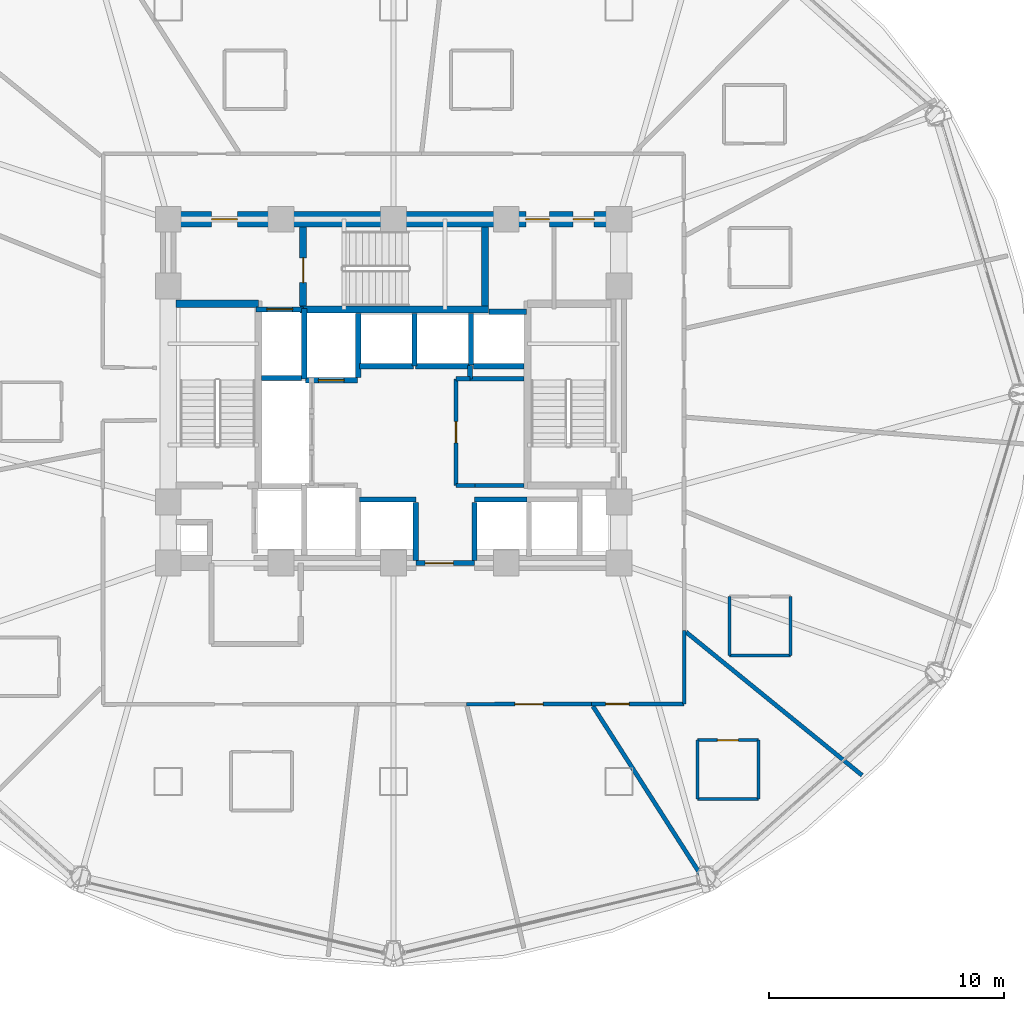
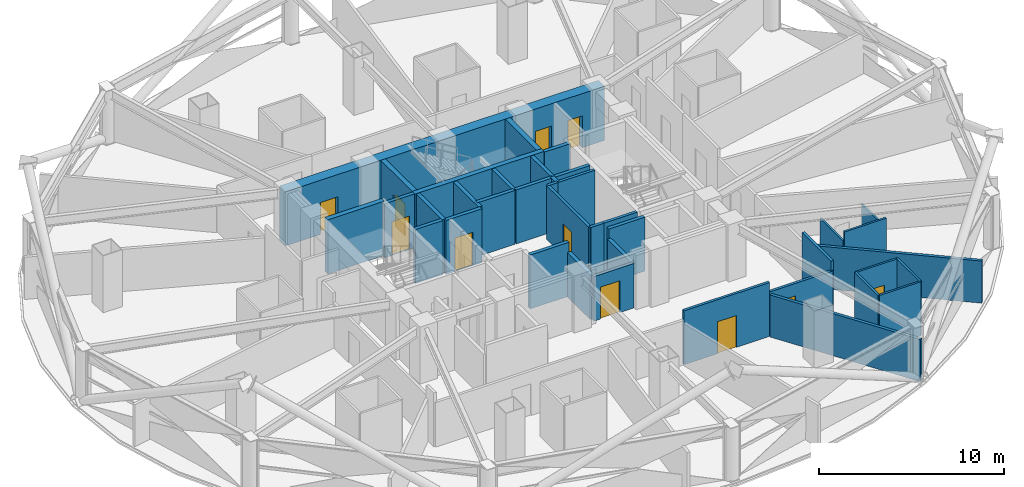
# One storey, part 25 of 31: 39 walls, 11 doors, 11 openings.
"""IFC4 building model written with IfcOpenShell, lengths in metres."""

from ifc_helpers import new_model, si_unit, direction, frame, frame_2d, origin, place, context, subcontext, project, spatial, rectangle, extrude, material, layer, layer_set, type_object, element, fill, save


model = new_model("IFC4")

# Units and contexts
model_context = context("Model", 3, precision=1e-05, world=origin(), true_north=direction((0.0, 1.0)))
body_context = subcontext(model_context, "Body", "Model", "MODEL_VIEW")
ifc_project = project(units=[si_unit("LENGTHUNIT", "METRE"), si_unit("AREAUNIT", "SQUARE_METRE"), si_unit("VOLUMEUNIT", "CUBIC_METRE"), si_unit("PLANEANGLEUNIT", "RADIAN"), si_unit("MASSUNIT", "GRAM", prefix="KILO")], contexts=[model_context])

# Site, building, storey
site_placement = place(None, origin())
site = spatial("IfcSite", under=ifc_project, at=site_placement, CompositionType="ELEMENT")
building_placement = place(site_placement, origin())
building = spatial("IfcBuilding", under=site, at=building_placement, Name="Vantalir Tower", CompositionType="ELEMENT")
storey_placement = place(building_placement, frame((0.0, 0.0, 42.0)))
storey = spatial("IfcBuildingStorey", under=building, at=storey_placement, Name="L09", CompositionType="ELEMENT", Elevation=42.0)

# Wall
ifc_material_1 = material(Name="Moisture-resistant en-suite partition", Category="gypsum")
ifc_layer_1 = layer(ifc_material_1, 0.125)
ifc_layer_set_1 = layer_set([ifc_layer_1], Name="Moisture-resistant en-suite partition")
wall_type_1 = type_object("IfcWallType", Name="WL-BATH-125", PredefinedType="PARTITIONING", material=ifc_layer_set_1)
wall_1_placement = place(storey_placement, frame((44.446044921875, 7.7548828125, 0.0), z_axis=(0.0, 0.0, 1.0), x_axis=(1.0, 0.0, 0.0)))
element("IfcWall", 1, at=wall_1_placement, inside=storey, type_object=wall_type_1, Name="L09 En-suite 12 South Wall", PredefinedType="PARTITIONING", context=body_context, shape_type="SweptSolid", body=[
    extrude(rectangle(XDim=2.599853515625, YDim=0.125, at=frame_2d((1.2998046875, 0.0))), origin(), (0.0, 0.0, 1.0), 3.550048828125),
])

# Wall, opening, door
wall_2_placement = place(storey_placement, frame((44.446044921875, 10.2548828125, 0.0), z_axis=(0.0, 0.0, 1.0), x_axis=(1.0, 0.0, 0.0)))
wall_2 = element("IfcWall", 2, at=wall_2_placement, inside=storey, type_object=wall_type_1, Name="L09 En-suite 12 North Wall", PredefinedType="PARTITIONING", context=body_context, shape_type="SweptSolid", body=[
    extrude(rectangle(XDim=2.599853515625, YDim=0.125, at=frame_2d((1.2998046875, 0.0))), origin(), (0.0, 0.0, 1.0), 3.550048828125),
])
opening_1_placement = place(wall_2_placement, frame((0.85009765625, 0.0, 0.0)))
opening_1 = element("IfcOpeningElement", 3, at=opening_1_placement, cuts=wall_2, Name="Opening D-WC", PredefinedType="OPENING", context=body_context, shape_type="SweptSolid", body=[
    extrude(rectangle(XDim=0.89990234375, YDim=2.10009765625, at=frame_2d((0.449951171875, 1.050048828125))), frame((0.0, 0.072509765625, 0.0), z_axis=(0.0, -1.0, 0.0), x_axis=(1.0, 0.0, 0.0)), (0.0, 0.0, 1.0), 0.14501953125),
])
ifc_material_2 = material(Name="Moisture-resistant hardwood door", Category="wood")
door_type_1 = type_object("IfcDoorType", Name="DR-ENSUITE-900", OperationType="NOTDEFINED", PredefinedType="DOOR", material=ifc_material_2)
door_1_placement = place(opening_1_placement, frame((0.89990234375, 0.0, 0.0), z_axis=(0.0, 0.0, 1.0), x_axis=(-1.0, 0.0, 0.0)))
door_1 = element("IfcDoor", 4, at=door_1_placement, inside=storey, type_object=door_type_1, Name="L09 En-suite 12 Door", OperationType="SINGLE_SWING_RIGHT", OverallHeight=2.10009765625, OverallWidth=0.89990234375, PredefinedType="DOOR", context=body_context, shape_type="SweptSolid", body=[
    extrude(rectangle(XDim=0.89990234375, YDim=2.10009765625, at=frame_2d((0.449951171875, 1.050048828125))), frame((0.0, 0.02490234375, 0.0), z_axis=(0.0, -1.0, 0.0), x_axis=(1.0, 0.0, 0.0)), (0.0, 0.0, 1.0), 0.050048828125),
])
fill(opening_1, door_1)

# Walls
for number, where, z_axis, x_axis, name in (
    (5, (44.446044921875, 7.7548828125, 0.0), (0.0, 0.0, 1.0), (0.0, 1.0, 0.0), "L09 En-suite 12 West Wall"),
    (6, (47.0458984375, 7.7548828125, 0.0), (0.0, 0.0, 1.0), (0.0, 1.0, 0.0), "L09 En-suite 12 East Wall"),
):
    element("IfcWall", number, at=place(storey_placement, frame(where, z_axis=z_axis, x_axis=x_axis)), inside=storey, type_object=wall_type_1, Name=name, PredefinedType="PARTITIONING", context=body_context, shape_type="SweptSolid", body=[
        extrude(rectangle(XDim=2.5, YDim=0.125, at=frame_2d((1.25, 0.0))), origin(), (0.0, 0.0, 1.0), 3.550048828125),
    ])
wall_3_placement = place(storey_placement, frame((45.805908203125, 13.867919921875, 0.0), z_axis=(0.0, 0.0, 1.0), x_axis=(1.0, 0.0, 0.0)))
element("IfcWall", 7, at=wall_3_placement, inside=storey, type_object=wall_type_1, Name="L09 En-suite 13 South Wall", PredefinedType="PARTITIONING", context=body_context, shape_type="SweptSolid", body=[
    extrude(rectangle(XDim=2.60009765625, YDim=0.125, at=frame_2d((1.300048828125, 0.0))), origin(), (0.0, 0.0, 1.0), 3.550048828125),
])
for number, where, z_axis, x_axis, name in (
    (8, (45.805908203125, 13.867919921875, 0.0), (0.0, 0.0, 1.0), (0.0, 1.0, 0.0), "L09 En-suite 13 West Wall"),
    (9, (48.406005859375, 13.867919921875, 0.0), (0.0, 0.0, 1.0), (0.0, 1.0, 0.0), "L09 En-suite 13 East Wall"),
):
    element("IfcWall", number, at=place(storey_placement, frame(where, z_axis=z_axis, x_axis=x_axis)), inside=storey, type_object=wall_type_1, Name=name, PredefinedType="PARTITIONING", context=body_context, shape_type="SweptSolid", body=[
        extrude(rectangle(XDim=2.5, YDim=0.125, at=frame_2d((1.25, 0.0))), origin(), (0.0, 0.0, 1.0), 2.927978515625),
    ])

# Wall, openings, doors
ifc_material_3 = material(Name="Concrete C60/75", Category="concrete")
ifc_layer_2 = layer(ifc_material_3, 0.64990234375)
ifc_layer_set_2 = layer_set([ifc_layer_2], Name="Concrete C60/75")
wall_type_2 = type_object("IfcWallType", Name="WL-CORE-650", PredefinedType="SHEAR", material=ifc_layer_set_2)
wall_4_placement = place(storey_placement, frame((21.574951171875, 32.449951171875, 0.0), z_axis=(0.0, 0.0, 1.0), x_axis=(1.0, 0.0, 0.0)))
wall_4 = element("IfcWall", 10, at=wall_4_placement, inside=storey, type_object=wall_type_2, Name="L09 Core Shear Wall North", PredefinedType="SHEAR", context=body_context, shape_type="SweptSolid", body=[
    extrude(rectangle(XDim=19.85009765625, YDim=0.64990234375, at=frame_2d((9.925048828125, 0.0))), origin(), (0.0, 0.0, 1.0), 3.570068359375),
])
opening_2_placement = place(wall_4_placement, frame((2.175048828125, 0.0, 0.0)))
opening_2 = element("IfcOpeningElement", 11, at=opening_2_placement, cuts=wall_4, Name="Opening D-FFL", PredefinedType="OPENING", context=body_context, shape_type="SweptSolid", body=[
    extrude(rectangle(XDim=1.10009765625, YDim=2.10009765625, at=frame_2d((0.550048828125, 1.050048828125))), frame((0.0, 0.3349609375, 0.0), z_axis=(0.0, -1.0, 0.0), x_axis=(1.0, 0.0, 0.0)), (0.0, 0.0, 1.0), 0.669921875),
])
opening_3_placement = place(wall_4_placement, frame((15.56494140625, 0.0, 0.0)))
opening_3 = element("IfcOpeningElement", 12, at=opening_3_placement, cuts=wall_4, Name="Opening D-GUEST", PredefinedType="OPENING", context=body_context, shape_type="SweptSolid", body=[
    extrude(rectangle(XDim=1.0, YDim=2.10009765625, at=frame_2d((0.5, 1.050048828125))), frame((0.0, 0.3349609375, 0.0), z_axis=(0.0, -1.0, 0.0), x_axis=(1.0, 0.0, 0.0)), (0.0, 0.0, 1.0), 0.669921875),
])
opening_4_placement = place(wall_4_placement, frame((17.574951171875, 0.0, 0.0)))
opening_4 = element("IfcOpeningElement", 13, at=opening_4_placement, cuts=wall_4, Name="Opening D-CR", PredefinedType="OPENING", context=body_context, shape_type="SweptSolid", body=[
    extrude(rectangle(XDim=0.89990234375, YDim=2.10009765625, at=frame_2d((0.449951171875, 1.050048828125))), frame((0.0, 0.3349609375, 0.0), z_axis=(0.0, -1.0, 0.0), x_axis=(1.0, 0.0, 0.0)), (0.0, 0.0, 1.0), 0.669921875),
])
ifc_material_4 = material(Name="Fire-rated steel core service door", Category="steel")
door_type_2 = type_object("IfcDoorType", Name="DR-CORE-SERV-900", OperationType="NOTDEFINED", PredefinedType="DOOR", material=ifc_material_4)
door_2_placement = place(opening_4_placement, frame((0.89990234375, 0.0, 0.0), z_axis=(0.0, 0.0, 1.0), x_axis=(-1.0, 0.0, 0.0)))
door_2 = element("IfcDoor", 14, at=door_2_placement, inside=storey, type_object=door_type_2, Name="L09 Housekeeping and Linen Room Door", OperationType="SINGLE_SWING_RIGHT", OverallHeight=2.10009765625, OverallWidth=0.89990234375, PredefinedType="DOOR", context=body_context, shape_type="SweptSolid", body=[
    extrude(rectangle(XDim=0.89990234375, YDim=2.10009765625, at=frame_2d((0.449951171875, 1.050048828125))), frame((0.0, 0.02490234375, 0.0), z_axis=(0.0, -1.0, 0.0), x_axis=(1.0, 0.0, 0.0)), (0.0, 0.0, 1.0), 0.050048828125),
])
fill(opening_4, door_2)
ifc_material_5 = material(Name="Fire-rated acoustic steel door", Category="steel")
door_type_3 = type_object("IfcDoorType", Name="DR-FIRE-LOBBY-1100", OperationType="NOTDEFINED", PredefinedType="DOOR", material=ifc_material_5)
door_3_placement = place(opening_2_placement, frame((1.10009765625, 0.0, 0.0), z_axis=(0.0, 0.0, 1.0), x_axis=(-1.0, 0.0, 0.0)))
door_3 = element("IfcDoor", 15, at=door_3_placement, inside=storey, type_object=door_type_3, Name="L09 Firefighting Lobby East Access Door", OperationType="SINGLE_SWING_LEFT", OverallHeight=2.10009765625, OverallWidth=1.10009765625, PredefinedType="DOOR", context=body_context, shape_type="SweptSolid", body=[
    extrude(rectangle(XDim=1.10009765625, YDim=2.10009765625, at=frame_2d((0.550048828125, 1.050048828125))), frame((0.0, 0.02490234375, 0.0), z_axis=(0.0, -1.0, 0.0), x_axis=(1.0, 0.0, 0.0)), (0.0, 0.0, 1.0), 0.050048828125),
])
fill(opening_2, door_3)
ifc_material_6 = material(Name="Solid-core teak veneer acoustic fire door", Category="wood")
door_type_4 = type_object("IfcDoorType", Name="DR-GUEST-ENTRY-1000", OperationType="NOTDEFINED", PredefinedType="DOOR", material=ifc_material_6)
door_4_placement = place(opening_3_placement, frame((1.0, 0.0, 0.0), z_axis=(0.0, 0.0, 1.0), x_axis=(-1.0, 0.0, 0.0)))
door_4 = element("IfcDoor", 16, at=door_4_placement, inside=storey, type_object=door_type_4, Name="L09 High-Rise Lift Lobby Door", OperationType="SINGLE_SWING_LEFT", OverallHeight=2.10009765625, OverallWidth=1.0, PredefinedType="DOOR", context=body_context, shape_type="SweptSolid", body=[
    extrude(rectangle(XDim=1.0, YDim=2.10009765625, at=frame_2d((0.5, 1.050048828125))), frame((0.0, 0.02490234375, 0.0), z_axis=(0.0, -1.0, 0.0), x_axis=(1.0, 0.0, 0.0)), (0.0, 0.0, 1.0), 0.050048828125),
])
fill(opening_3, door_4)

# Wall
ifc_material_7 = material(Name="Fire-rated hotel corridor acoustic partition", Category="gypsum")
ifc_layer_3 = layer(ifc_material_7, 0.159912109375)
ifc_layer_set_3 = layer_set([ifc_layer_3], Name="Fire-rated hotel corridor acoustic partition")
wall_type_3 = type_object("IfcWallType", Name="WL-CORR-160", PredefinedType="PARTITIONING", material=ifc_layer_set_3)
wall_5_placement = place(storey_placement, frame((43.883056640625, 14.926025390625, 0.0), z_axis=(0.0, 0.0, 1.0), x_axis=(0.000623976167, -0.999999805327, 0.0)))
element("IfcWall", 17, at=wall_5_placement, inside=storey, type_object=wall_type_3, Name="L09 Corridor Partition 13", PredefinedType="PARTITIONING", context=body_context, shape_type="SweptSolid", body=[
    extrude(rectangle(XDim=3.130126953125, YDim=0.159912109375, at=frame_2d((1.56494140625, 0.0))), origin(), (0.0, 0.0, 1.0), 3.550048828125),
])

# Wall, opening, door
wall_6_placement = place(storey_placement, frame((43.885009765625, 11.7958984375, 0.0), z_axis=(0.0, 0.0, 1.0), x_axis=(-0.999999877509, -0.000494957559, 0.0)))
wall_6 = element("IfcWall", 18, at=wall_6_placement, inside=storey, type_object=wall_type_3, Name="L09 Corridor Partition 14", PredefinedType="PARTITIONING", context=body_context, shape_type="SweptSolid", body=[
    extrude(rectangle(XDim=3.946044921875, YDim=0.159912109375, at=frame_2d((1.97314453125, 0.0))), origin(), (0.0, 0.0, 1.0), 2.927978515625),
])
opening_5_placement = place(wall_6_placement, frame((2.347900390625, 0.0, 0.0)))
opening_5 = element("IfcOpeningElement", 19, at=opening_5_placement, cuts=wall_6, Name="Opening D-GUEST", PredefinedType="OPENING", context=body_context, shape_type="SweptSolid", body=[
    extrude(rectangle(XDim=1.0, YDim=2.10009765625, at=frame_2d((0.5, 1.050048828125))), frame((0.0, 0.08984375, 0.0), z_axis=(0.0, -1.0, 0.0), x_axis=(1.0, 0.0, 0.0)), (0.0, 0.0, 1.0), 0.179931640625),
])
door_5_placement = place(opening_5_placement, origin())
door_5 = element("IfcDoor", 20, at=door_5_placement, inside=storey, type_object=door_type_4, Name="L09 Twin Queen Hotel Room 12 Door", OperationType="SINGLE_SWING_RIGHT", OverallHeight=2.10009765625, OverallWidth=1.0, PredefinedType="DOOR", context=body_context, shape_type="SweptSolid", body=[
    extrude(rectangle(XDim=1.0, YDim=2.10009765625, at=frame_2d((0.5, 1.050048828125))), frame((0.0, 0.02490234375, 0.0), z_axis=(0.0, -1.0, 0.0), x_axis=(1.0, 0.0, 0.0)), (0.0, 0.0, 1.0), 0.050048828125),
])
fill(opening_5, door_5)

wall_7_placement = place(storey_placement, frame((39.93896484375, 11.7939453125, 0.0), z_axis=(0.0, 0.0, 1.0), x_axis=(-0.99999973155, -0.000732734736, 0.0)))
wall_7 = element("IfcWall", 21, at=wall_7_placement, inside=storey, type_object=wall_type_3, Name="L09 Corridor Partition 15", PredefinedType="PARTITIONING", context=body_context, shape_type="SweptSolid", body=[
    extrude(rectangle(XDim=5.3310546875, YDim=0.159912109375, at=frame_2d((2.66552734375, 0.0))), origin(), (0.0, 0.0, 1.0), 3.550048828125),
])
opening_6_placement = place(wall_7_placement, frame((2.06591796875, 0.0, 0.0)))
opening_6 = element("IfcOpeningElement", 22, at=opening_6_placement, cuts=wall_7, Name="Opening D-STE", PredefinedType="OPENING", context=body_context, shape_type="SweptSolid", body=[
    extrude(rectangle(XDim=1.199951171875, YDim=2.10009765625, at=frame_2d((0.60009765625, 1.050048828125))), frame((0.0, 0.08984375, 0.0), z_axis=(0.0, -1.0, 0.0), x_axis=(1.0, 0.0, 0.0)), (0.0, 0.0, 1.0), 0.179931640625),
])
ifc_material_8 = material(Name="Solid-core teak veneer suite entrance door", Category="wood")
door_type_5 = type_object("IfcDoorType", Name="DR-SUITE-ENTRY-1200", OperationType="NOTDEFINED", PredefinedType="DOOR", material=ifc_material_8)
door_6_placement = place(opening_6_placement, origin())
door_6 = element("IfcDoor", 23, at=door_6_placement, inside=storey, type_object=door_type_5, Name="L09 Executive Sky Boardroom 11 Door", OperationType="SINGLE_SWING_LEFT", OverallHeight=2.10009765625, OverallWidth=1.199951171875, PredefinedType="DOOR", context=body_context, shape_type="SweptSolid", body=[
    extrude(rectangle(XDim=1.199951171875, YDim=2.10009765625, at=frame_2d((0.60009765625, 1.050048828125))), frame((0.0, 0.02490234375, 0.0), z_axis=(0.0, -1.0, 0.0), x_axis=(1.0, 0.0, 0.0)), (0.0, 0.0, 1.0), 0.050048828125),
])
fill(opening_6, door_6)

# Walls
ifc_material_9 = material(Name="Concrete blockwork with fireboard lining", Category="masonry")
ifc_layer_4 = layer(ifc_material_9, 0.219970703125)
ifc_layer_set_4 = layer_set([ifc_layer_4], Name="Concrete blockwork with fireboard lining")
wall_type_4 = type_object("IfcWallType", Name="WL-FFL-220", PredefinedType="PARTITIONING", material=ifc_layer_set_4)
for number, where, z_axis, x_axis, name in (
    (24, (32.449951171875, 17.919921875, 0.0), (0.0, 0.0, 1.0), (0.0, 1.0, 0.0), "L09 Shuttle Lift PL-X1 East Shaft Cheek"),
    (25, (34.949951171875, 17.919921875, 0.0), (0.0, 0.0, 1.0), (0.0, 1.0, 0.0), "L09 Shuttle Lift PL-X3 West Shaft Cheek"),
):
    element("IfcWall", number, at=place(storey_placement, frame(where, z_axis=z_axis, x_axis=x_axis)), inside=storey, type_object=wall_type_4, Name=name, PredefinedType="PARTITIONING", context=body_context, shape_type="SweptSolid", body=[
        extrude(rectangle(XDim=2.469970703125, YDim=0.219970703125, at=frame_2d((1.23486328125, 0.0))), origin(), (0.0, 0.0, 1.0), 2.927978515625),
    ])
wall_8_placement = place(storey_placement, frame((30.0, 25.7099609375, 0.0), z_axis=(0.0, 0.0, 1.0), x_axis=(0.0, 1.0, 0.0)))
element("IfcWall", 26, at=wall_8_placement, inside=storey, type_object=wall_type_4, Name="L09 Service Lift SV2 East Shaft Wall", PredefinedType="PARTITIONING", context=body_context, shape_type="SweptSolid", body=[
    extrude(rectangle(XDim=2.72998046875, YDim=0.219970703125, at=frame_2d((1.364990234375, 0.0))), origin(), (0.0, 0.0, 1.0), 3.544921875),
])
wall_9_placement = place(storey_placement, frame((32.39990234375, 26.199951171875, 0.0), z_axis=(0.0, 0.0, 1.0), x_axis=(0.0, 1.0, 0.0)))
element("IfcWall", 27, at=wall_9_placement, inside=storey, type_object=wall_type_4, Name="L09 High-Rise Lift PL-H1/H2 Shaft Divider", PredefinedType="PARTITIONING", context=body_context, shape_type="SweptSolid", body=[
    extrude(rectangle(XDim=2.239990234375, YDim=0.219970703125, at=frame_2d((1.1201171875, 0.0))), origin(), (0.0, 0.0, 1.0), 3.544921875),
])
wall_10_placement = place(storey_placement, frame((34.800048828125, 26.22998046875, 0.0), z_axis=(0.0, 0.0, 1.0), x_axis=(0.0, 1.0, 0.0)))
element("IfcWall", 28, at=wall_10_placement, inside=storey, type_object=wall_type_4, Name="L09 High-Rise Lift PL-H2/H3 Shaft Divider", PredefinedType="PARTITIONING", context=body_context, shape_type="SweptSolid", body=[
    extrude(rectangle(XDim=2.2099609375, YDim=0.219970703125, at=frame_2d((1.10498046875, 0.0))), origin(), (0.0, 0.0, 1.0), 3.544921875),
])
wall_11_placement = place(storey_placement, frame((34.909912109375, 26.18994140625, 0.0), z_axis=(0.0, 0.0, 1.0), x_axis=(1.0, 0.0, 0.0)))
element("IfcWall", 29, at=wall_11_placement, inside=storey, type_object=wall_type_4, Name="L09 High-Rise Lift PL-H3 Rear Shaft Wall", PredefinedType="PARTITIONING", context=body_context, shape_type="SweptSolid", body=[
    extrude(rectangle(XDim=2.14013671875, YDim=0.219970703125, at=frame_2d((1.070068359375, 0.0))), origin(), (0.0, 0.0, 1.0), 3.544921875),
])

# Wall, opening, door
wall_12_placement = place(storey_placement, frame((32.449951171875, 17.800048828125, 0.0), z_axis=(0.0, 0.0, 1.0), x_axis=(1.0, 0.0, 0.0)))
wall_12 = element("IfcWall", 30, at=wall_12_placement, inside=storey, type_object=wall_type_4, Name="L09 Passenger Lift Lobby South Wall", PredefinedType="PARTITIONING", context=body_context, shape_type="SweptSolid", body=[
    extrude(rectangle(XDim=2.5, YDim=0.219970703125, at=frame_2d((1.25, 0.0))), origin(), (0.0, 0.0, 1.0), 2.927978515625),
])
opening_7_placement = place(wall_12_placement, frame((0.39990234375, 0.0, 0.0)))
opening_7 = element("IfcOpeningElement", 31, at=opening_7_placement, cuts=wall_12, Name="Opening D-STE", PredefinedType="OPENING", context=body_context, shape_type="SweptSolid", body=[
    extrude(rectangle(XDim=1.199951171875, YDim=2.10009765625, at=frame_2d((0.60009765625, 1.050048828125))), frame((0.0, 0.119873046875, 0.0), z_axis=(0.0, -1.0, 0.0), x_axis=(1.0, 0.0, 0.0)), (0.0, 0.0, 1.0), 0.239990234375),
])
door_7_placement = place(opening_7_placement, origin())
door_7 = element("IfcDoor", 32, at=door_7_placement, inside=storey, type_object=door_type_5, Name="L09 Passenger Lift Lobby Concourse Door", OperationType="SINGLE_SWING_RIGHT", OverallHeight=2.10009765625, OverallWidth=1.199951171875, PredefinedType="DOOR", context=body_context, shape_type="SweptSolid", body=[
    extrude(rectangle(XDim=1.199951171875, YDim=2.10009765625, at=frame_2d((0.60009765625, 1.050048828125))), frame((0.0, 0.02490234375, 0.0), z_axis=(0.0, -1.0, 0.0), x_axis=(1.0, 0.0, 0.0)), (0.0, 0.0, 1.0), 0.050048828125),
])
fill(opening_7, door_7)

wall_13_placement = place(storey_placement, frame((25.639892578125, 28.610107421875, 0.0), z_axis=(0.0, 0.0, 1.0), x_axis=(1.0, 0.0, 0.0)))
wall_13 = element("IfcWall", 33, at=wall_13_placement, inside=storey, type_object=wall_type_4, Name="L09 Lift FL2 Shaft Front Wall", PredefinedType="PARTITIONING", context=body_context, shape_type="SweptSolid", body=[
    extrude(rectangle(XDim=2.02001953125, YDim=0.219970703125, at=frame_2d((1.010009765625, 0.0))), origin(), (0.0, 0.0, 1.0), 3.550048828125),
])
opening_8_placement = place(wall_13_placement, frame((0.4599609375, 0.0, 0.0)))
opening_8 = element("IfcOpeningElement", 34, at=opening_8_placement, cuts=wall_13, Name="Opening LD-FL2", PredefinedType="OPENING", context=body_context, shape_type="SweptSolid", body=[
    extrude(rectangle(XDim=1.10009765625, YDim=2.199951171875, at=frame_2d((0.550048828125, 1.10009765625))), frame((0.0, 0.119873046875, 0.0), z_axis=(0.0, -1.0, 0.0), x_axis=(1.0, 0.0, 0.0)), (0.0, 0.0, 1.0), 0.239990234375),
])
ifc_material_10 = material(Name="Brushed stainless-steel sliding lift landing door", Category="steel")
door_type_6 = type_object("IfcDoorType", Name="DR-LIFT-LANDING-1100", OperationType="DOUBLE_DOOR_SLIDING", PredefinedType="DOOR", material=ifc_material_10)
door_8_placement = place(opening_8_placement, origin())
door_8 = element("IfcDoor", 35, at=door_8_placement, inside=storey, type_object=door_type_6, Name="L09 Lift Landing Door FL2", OperationType="DOUBLE_DOOR_SLIDING", OverallHeight=2.199951171875, OverallWidth=1.10009765625, PredefinedType="DOOR", context=body_context, shape_type="SweptSolid", body=[
    extrude(rectangle(XDim=1.10009765625, YDim=2.199951171875, at=frame_2d((0.550048828125, 1.10009765625))), frame((0.0, 0.02490234375, 0.0), z_axis=(0.0, -1.0, 0.0), x_axis=(1.0, 0.0, 0.0)), (0.0, 0.0, 1.0), 0.050048828125),
])
fill(opening_8, door_8)

wall_14_placement = place(storey_placement, frame((27.739990234375, 25.590087890625, 0.0), z_axis=(0.0, 0.0, 1.0), x_axis=(1.0, 0.0, 0.0)))
wall_14 = element("IfcWall", 36, at=wall_14_placement, inside=storey, type_object=wall_type_4, Name="L09 Lift SV2 Shaft Front Wall", PredefinedType="PARTITIONING", context=body_context, shape_type="SweptSolid", body=[
    extrude(rectangle(XDim=2.219970703125, YDim=0.219970703125, at=frame_2d((1.10986328125, 0.0))), origin(), (0.0, 0.0, 1.0), 3.550048828125),
])
opening_9_placement = place(wall_14_placement, frame((0.56005859375, 0.0, 0.0)))
opening_9 = element("IfcOpeningElement", 37, at=opening_9_placement, cuts=wall_14, Name="Opening LD-SV2", PredefinedType="OPENING", context=body_context, shape_type="SweptSolid", body=[
    extrude(rectangle(XDim=1.10009765625, YDim=2.199951171875, at=frame_2d((0.550048828125, 1.10009765625))), frame((0.0, 0.119873046875, 0.0), z_axis=(0.0, -1.0, 0.0), x_axis=(1.0, 0.0, 0.0)), (0.0, 0.0, 1.0), 0.239990234375),
])
door_9_placement = place(opening_9_placement, frame((1.10009765625, 0.0, 0.0), z_axis=(0.0, 0.0, 1.0), x_axis=(-1.0, 0.0, 0.0)))
door_9 = element("IfcDoor", 38, at=door_9_placement, inside=storey, type_object=door_type_6, Name="L09 Lift Landing Door SV2", OperationType="DOUBLE_DOOR_SLIDING", OverallHeight=2.199951171875, OverallWidth=1.10009765625, PredefinedType="DOOR", context=body_context, shape_type="SweptSolid", body=[
    extrude(rectangle(XDim=1.10009765625, YDim=2.199951171875, at=frame_2d((0.550048828125, 1.10009765625))), frame((0.0, 0.02490234375, 0.0), z_axis=(0.0, -1.0, 0.0), x_axis=(1.0, 0.0, 0.0)), (0.0, 0.0, 1.0), 0.050048828125),
])
fill(opening_9, door_9)

# Walls
wall_15_placement = place(storey_placement, frame((30.0400390625, 20.510009765625, 0.0), z_axis=(0.0, 0.0, 1.0), x_axis=(1.0, 0.0, 0.0)))
element("IfcWall", 39, at=wall_15_placement, inside=storey, type_object=wall_type_4, Name="L09 Lift PL-X1 Shaft Front Wall", PredefinedType="PARTITIONING", context=body_context, shape_type="SweptSolid", body=[
    extrude(rectangle(XDim=2.419921875, YDim=0.219970703125, at=frame_2d((1.2099609375, 0.0))), origin(), (0.0, 0.0, 1.0), 3.550048828125),
])
wall_16_placement = place(storey_placement, frame((34.93994140625, 20.510009765625, 0.0), z_axis=(0.0, 0.0, 1.0), x_axis=(1.0, 0.0, 0.0)))
element("IfcWall", 40, at=wall_16_placement, inside=storey, type_object=wall_type_4, Name="L09 Lift PL-X3 Shaft Front Wall", PredefinedType="PARTITIONING", context=body_context, shape_type="SweptSolid", body=[
    extrude(rectangle(XDim=2.239990234375, YDim=0.219970703125, at=frame_2d((1.1201171875, 0.0))), origin(), (0.0, 0.0, 1.0), 3.550048828125),
])
for number, where, z_axis, x_axis, name in (
    (41, (30.0400390625, 26.18994140625, 0.0), (0.0, 0.0, 1.0), (1.0, 0.0, 0.0), "L09 Lift PL-H1 Shaft Front Wall"),
    (42, (32.43994140625, 26.18994140625, 0.0), (0.0, 0.0, 1.0), (1.0, 0.0, 0.0), "L09 Lift PL-H2 Shaft Front Wall"),
):
    element("IfcWall", number, at=place(storey_placement, frame(where, z_axis=z_axis, x_axis=x_axis)), inside=storey, type_object=wall_type_4, Name=name, PredefinedType="PARTITIONING", context=body_context, shape_type="SweptSolid", body=[
        extrude(rectangle(XDim=2.320068359375, YDim=0.219970703125, at=frame_2d((1.16015625, 0.0))), origin(), (0.0, 0.0, 1.0), 3.550048828125),
    ])
wall_17_placement = place(storey_placement, frame((35.56005859375, 28.510009765625, 0.0), z_axis=(0.0, 0.0, 1.0), x_axis=(1.0, 0.0, 0.0)))
element("IfcWall", 43, at=wall_17_placement, inside=storey, type_object=wall_type_4, Name="L09 Lift PL-H3 Shaft Front Wall", PredefinedType="PARTITIONING", context=body_context, shape_type="SweptSolid", body=[
    extrude(rectangle(XDim=1.599853515625, YDim=0.219970703125, at=frame_2d((0.7998046875, 0.0))), origin(), (0.0, 0.0, 1.0), 3.550048828125),
])
wall_18_placement = place(storey_placement, frame((27.699951171875, 25.64990234375, 0.0), z_axis=(0.0, 0.0, 1.0), x_axis=(0.0, 1.0, 0.0)))
element("IfcWall", 44, at=wall_18_placement, inside=storey, type_object=wall_type_4, Name="L09 Fire Lift FL2 Dividing Wall", PredefinedType="PARTITIONING", context=body_context, shape_type="SweptSolid", body=[
    extrude(rectangle(XDim=3.0, YDim=0.219970703125, at=frame_2d((1.5, 0.0))), origin(), (0.0, 0.0, 1.0), 3.550048828125),
])
wall_19_placement = place(storey_placement, frame((25.8798828125, 25.679931640625, 0.0), z_axis=(0.0, 0.0, 1.0), x_axis=(1.0, 0.0, 0.0)))
element("IfcWall", 45, at=wall_19_placement, inside=storey, type_object=wall_type_4, Name="L09 Low-Rise Bank North Wall", PredefinedType="PARTITIONING", context=body_context, shape_type="SweptSolid", body=[
    extrude(rectangle(XDim=1.7001953125, YDim=0.219970703125, at=frame_2d((0.85009765625, 0.0))), origin(), (0.0, 0.0, 1.0), 3.550048828125),
])
wall_20_placement = place(storey_placement, frame((34.760009765625, 25.64990234375, 0.0), z_axis=(0.0, 0.0, 1.0), x_axis=(0.0, 1.0, 0.0)))
element("IfcWall", 46, at=wall_20_placement, inside=storey, type_object=wall_type_4, Name="L09 High-Rise Shaft Shoulder Wall", PredefinedType="PARTITIONING", context=body_context, shape_type="SweptSolid", body=[
    extrude(rectangle(XDim=0.570068359375, YDim=0.219970703125, at=frame_2d((0.28515625, 0.0))), origin(), (0.0, 0.0, 1.0), 3.550048828125),
])
ifc_material_11 = material(Name="Twin-stud acoustic fire-rated gypsum partition", Category="gypsum")
ifc_layer_5 = layer(ifc_material_11, 0.179931640625)
ifc_layer_set_5 = layer_set([ifc_layer_5], Name="Twin-stud acoustic fire-rated gypsum partition")
wall_type_5 = type_object("IfcWallType", Name="WL-GUEST-180", PredefinedType="PARTITIONING", material=ifc_layer_set_5)
wall_21_placement = place(storey_placement, frame((34.97998046875, 21.10009765625, 0.0), z_axis=(0.0, 0.0, 1.0), x_axis=(1.0, 0.0, 0.0)))
element("IfcWall", 47, at=wall_21_placement, inside=storey, type_object=wall_type_5, Name="L09 Freed East Core South Wall", PredefinedType="PARTITIONING", context=body_context, shape_type="SweptSolid", body=[
    extrude(rectangle(XDim=2.080078125, YDim=0.179931640625, at=frame_2d((1.0400390625, 0.0))), origin(), (0.0, 0.0, 1.0), 3.550048828125),
])
wall_22_placement = place(storey_placement, frame((34.719970703125, 25.64990234375, 0.0), z_axis=(0.0, 0.0, 1.0), x_axis=(1.0, 0.0, 0.0)))
element("IfcWall", 48, at=wall_22_placement, inside=storey, type_object=wall_type_5, Name="L09 Freed East Core North Wall", PredefinedType="PARTITIONING", context=body_context, shape_type="SweptSolid", body=[
    extrude(rectangle(XDim=2.340087890625, YDim=0.179931640625, at=frame_2d((1.169921875, 0.0))), origin(), (0.0, 0.0, 1.0), 3.550048828125),
])
wall_23_placement = place(storey_placement, frame((34.159912109375, 21.10009765625, 0.0), z_axis=(0.0, 0.0, 1.0), x_axis=(1.0, 0.0, 0.0)))
element("IfcWall", 49, at=wall_23_placement, inside=storey, type_object=wall_type_5, Name="L09 East IT Room South Return", PredefinedType="PARTITIONING", context=body_context, shape_type="SweptSolid", body=[
    extrude(rectangle(XDim=0.820068359375, YDim=0.179931640625, at=frame_2d((0.41015625, 0.0))), origin(), (0.0, 0.0, 1.0), 3.550048828125),
])
wall_24_placement = place(storey_placement, frame((34.159912109375, 25.64990234375, 0.0), z_axis=(0.0, 0.0, 1.0), x_axis=(1.0, 0.0, 0.0)))
element("IfcWall", 50, at=wall_24_placement, inside=storey, type_object=wall_type_5, Name="L09 East IT Room North Return", PredefinedType="PARTITIONING", context=body_context, shape_type="SweptSolid", body=[
    extrude(rectangle(XDim=0.60009765625, YDim=0.179931640625, at=frame_2d((0.300048828125, 0.0))), origin(), (0.0, 0.0, 1.0), 3.550048828125),
])

# Wall, opening, door
wall_25_placement = place(storey_placement, frame((34.159912109375, 21.10009765625, 0.0), z_axis=(0.0, 0.0, 1.0), x_axis=(0.0, 1.0, 0.0)))
wall_25 = element("IfcWall", 51, at=wall_25_placement, inside=storey, type_object=wall_type_5, Name="L09 East IT Room West Wall", PredefinedType="PARTITIONING", context=body_context, shape_type="SweptSolid", body=[
    extrude(rectangle(XDim=4.5498046875, YDim=0.179931640625, at=frame_2d((2.27490234375, 0.0))), origin(), (0.0, 0.0, 1.0), 3.550048828125),
])
opening_10_placement = place(wall_25_placement, frame((1.824951171875, 0.0, 0.0)))
opening_10 = element("IfcOpeningElement", 52, at=opening_10_placement, cuts=wall_25, Name="Opening D-CR", PredefinedType="OPENING", context=body_context, shape_type="SweptSolid", body=[
    extrude(rectangle(XDim=0.89990234375, YDim=2.10009765625, at=frame_2d((0.449951171875, 1.050048828125))), frame((0.0, 0.099853515625, 0.0), z_axis=(0.0, -1.0, 0.0), x_axis=(1.0, 0.0, 0.0)), (0.0, 0.0, 1.0), 0.199951171875),
])
door_10_placement = place(opening_10_placement, frame((0.89990234375, 0.0, 0.0), z_axis=(0.0, 0.0, 1.0), x_axis=(-1.0, 0.0, 0.0)))
door_10 = element("IfcDoor", 53, at=door_10_placement, inside=storey, type_object=door_type_2, Name="L09 Core Data Switchroom Door", OperationType="SINGLE_SWING_RIGHT", OverallHeight=2.10009765625, OverallWidth=0.89990234375, PredefinedType="DOOR", context=body_context, shape_type="SweptSolid", body=[
    extrude(rectangle(XDim=0.89990234375, YDim=2.10009765625, at=frame_2d((0.449951171875, 1.050048828125))), frame((0.0, 0.02490234375, 0.0), z_axis=(0.0, -1.0, 0.0), x_axis=(1.0, 0.0, 0.0)), (0.0, 0.0, 1.0), 0.050048828125),
])
fill(opening_10, door_10)

# Walls
wall_26_placement = place(storey_placement, frame((39.998046875, 11.699951171875, 0.0), z_axis=(0.0, 0.0, 1.0), x_axis=(0.53849796623, -0.842626809665, 0.0)))
element("IfcWall", 54, at=wall_26_placement, inside=storey, type_object=wall_type_5, Name="L09 Radial Suite Partition 12", PredefinedType="PARTITIONING", context=body_context, shape_type="SweptSolid", body=[
    extrude(rectangle(XDim=9.127197265625, YDim=0.179931640625, at=frame_2d((4.5634765625, 0.0))), origin(), (0.0, 0.0, 1.0), 2.77490234375),
])
wall_27_placement = place(storey_placement, frame((43.965087890625, 14.860107421875, 0.0), z_axis=(0.0, 0.0, 1.0), x_axis=(0.77570287791, -0.631098284899, 0.0)))
element("IfcWall", 55, at=wall_27_placement, inside=storey, type_object=wall_type_5, Name="L09 Radial Suite Partition 13", PredefinedType="PARTITIONING", context=body_context, shape_type="SweptSolid", body=[
    extrude(rectangle(XDim=9.66748046875, YDim=0.179931640625, at=frame_2d((4.833740234375, 0.0))), origin(), (0.0, 0.0, 1.0), 2.77490234375),
])
ifc_material_12 = material(Name="Concrete C50/60", Category="concrete")
ifc_layer_6 = layer(ifc_material_12, 0.300048828125)
ifc_layer_set_6 = layer_set([ifc_layer_6], Name="Concrete C50/60")
wall_type_6 = type_object("IfcWallType", Name="WL-STAIR-300", PredefinedType="SHEAR", material=ifc_layer_set_6)
wall_28_placement = place(storey_placement, frame((22.22509765625, 28.85009765625, 0.0), z_axis=(0.0, 0.0, 1.0), x_axis=(1.0, 0.0, 0.0)))
element("IfcWall", 56, at=wall_28_placement, inside=storey, type_object=wall_type_6, Name="L09 Stair ST1 North Wall", PredefinedType="SHEAR", context=body_context, shape_type="SweptSolid", body=[
    extrude(rectangle(XDim=3.514892578125, YDim=0.300048828125, at=frame_2d((1.75732421875, 0.0))), origin(), (0.0, 0.0, 1.0), 3.570068359375),
])
wall_29_placement = place(storey_placement, frame((27.510009765625, 28.60009765625, 0.0), z_axis=(0.0, 0.0, 1.0), x_axis=(1.0, 0.0, 0.0)))
element("IfcWall", 57, at=wall_29_placement, inside=storey, type_object=wall_type_6, Name="L09 Stair ST3 South Wall", PredefinedType="SHEAR", context=body_context, shape_type="SweptSolid", body=[
    extrude(rectangle(XDim=8.030029296875, YDim=0.300048828125, at=frame_2d((4.01513671875, 0.0))), origin(), (0.0, 0.0, 1.0), 3.570068359375),
])

# Wall, opening, door
wall_30_placement = place(storey_placement, frame((27.64990234375, 28.75, 0.0), z_axis=(0.0, 0.0, 1.0), x_axis=(0.0, 1.0, 0.0)))
wall_30 = element("IfcWall", 58, at=wall_30_placement, inside=storey, type_object=wall_type_6, Name="L09 Stair ST3 West Wall", PredefinedType="SHEAR", context=body_context, shape_type="SweptSolid", body=[
    extrude(rectangle(XDim=3.375, YDim=0.300048828125, at=frame_2d((1.6875, 0.0))), origin(), (0.0, 0.0, 1.0), 3.570068359375),
])
opening_11_placement = place(wall_30_placement, frame((1.0, 0.0, 0.0)))
opening_11 = element("IfcOpeningElement", 59, at=opening_11_placement, cuts=wall_30, Name="Opening D-ST", PredefinedType="OPENING", context=body_context, shape_type="SweptSolid", body=[
    extrude(rectangle(XDim=1.050048828125, YDim=2.10009765625, at=frame_2d((0.52490234375, 1.050048828125))), frame((0.0, 0.159912109375, 0.0), z_axis=(0.0, -1.0, 0.0), x_axis=(1.0, 0.0, 0.0)), (0.0, 0.0, 1.0), 0.320068359375),
])
ifc_material_13 = material(Name="Fire-rated steel door leaf", Category="steel")
door_type_7 = type_object("IfcDoorType", Name="DR-FIRE-STAIR-1050", OperationType="NOTDEFINED", PredefinedType="DOOR", material=ifc_material_13)
door_11_placement = place(opening_11_placement, frame((1.050048828125, 0.0, 0.0), z_axis=(0.0, 0.0, 1.0), x_axis=(-1.0, 0.0, 0.0)))
door_11 = element("IfcDoor", 60, at=door_11_placement, inside=storey, type_object=door_type_7, Name="L09 Exit Stair ST3 Fire Door", OperationType="SINGLE_SWING_RIGHT", OverallHeight=2.10009765625, OverallWidth=1.050048828125, PredefinedType="DOOR", context=body_context, shape_type="SweptSolid", body=[
    extrude(rectangle(XDim=1.050048828125, YDim=2.10009765625, at=frame_2d((0.52490234375, 1.050048828125))), frame((0.0, 0.02490234375, 0.0), z_axis=(0.0, -1.0, 0.0), x_axis=(1.0, 0.0, 0.0)), (0.0, 0.0, 1.0), 0.050048828125),
])
fill(opening_11, door_11)

# Wall
wall_31_placement = place(storey_placement, frame((35.39990234375, 28.75, 0.0), z_axis=(0.0, 0.0, 1.0), x_axis=(0.0, 1.0, 0.0)))
element("IfcWall", 61, at=wall_31_placement, inside=storey, type_object=wall_type_6, Name="L09 Stair ST3 East Wall", PredefinedType="SHEAR", context=body_context, shape_type="SweptSolid", body=[
    extrude(rectangle(XDim=3.375, YDim=0.300048828125, at=frame_2d((1.6875, 0.0))), origin(), (0.0, 0.0, 1.0), 3.570068359375),
])

save(model, "model.ifc")
